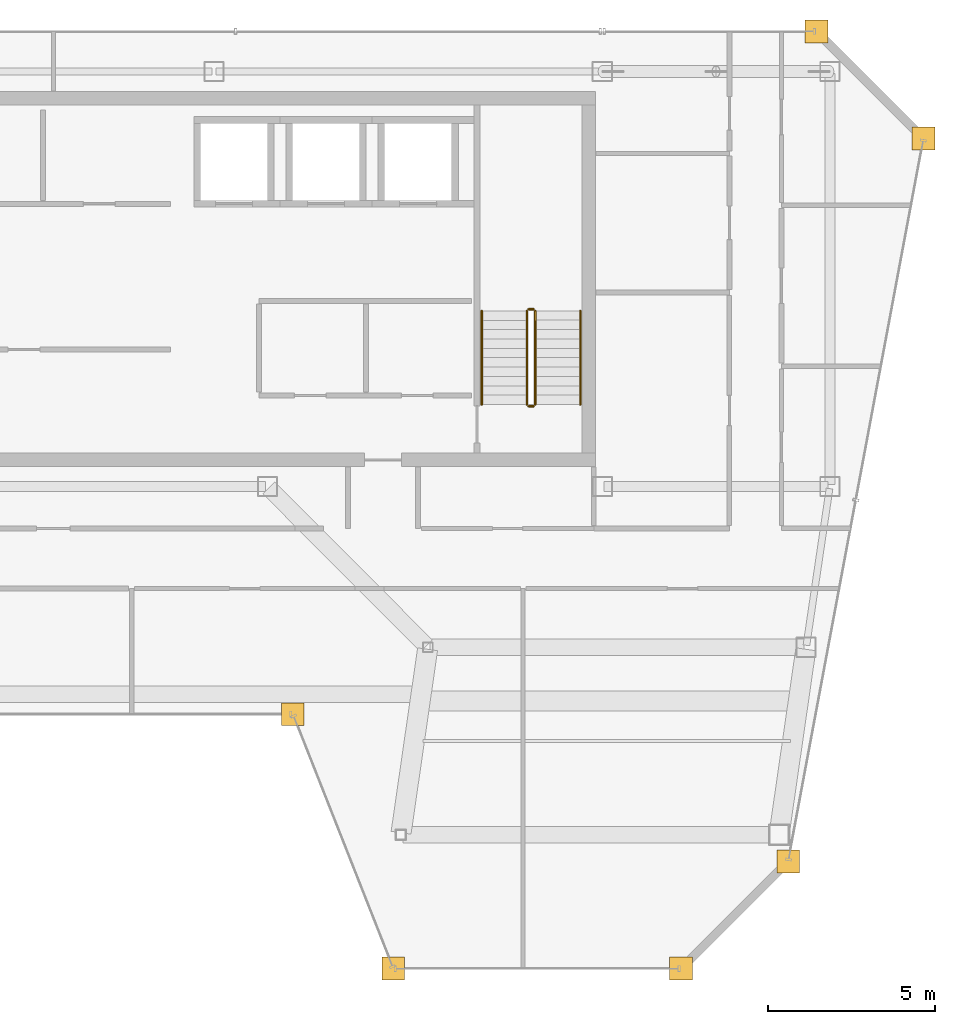
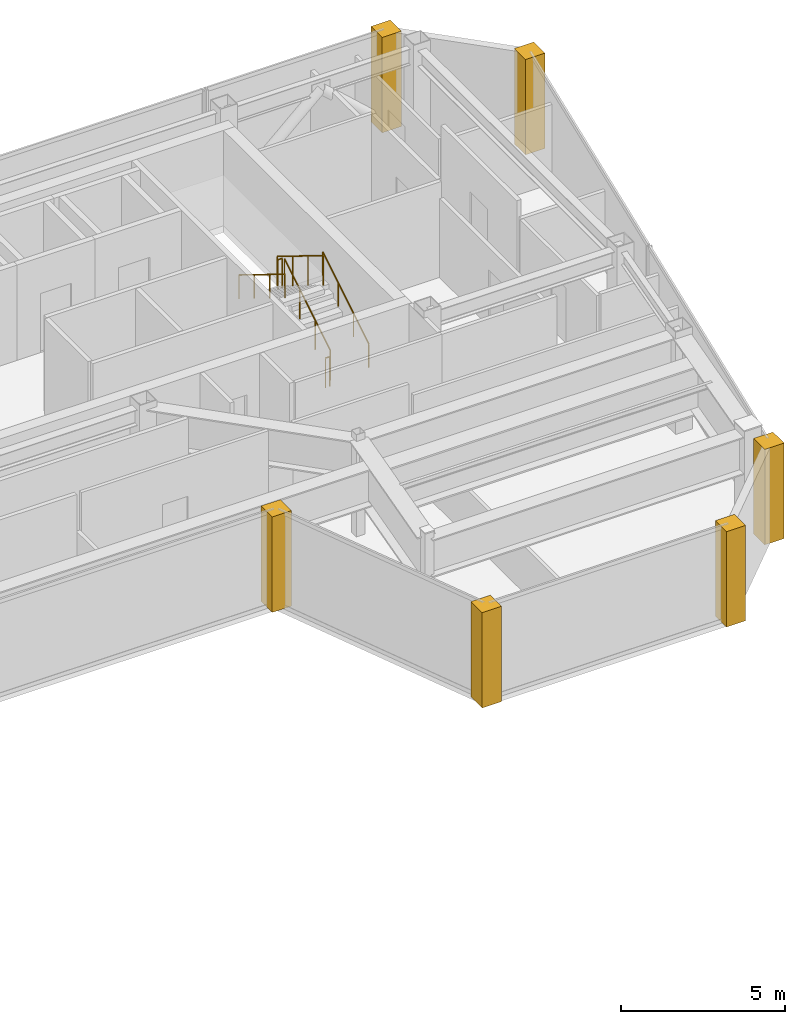
# One storey, part 23 of 23: 6 coverings, 6 railings.
"""IFC4 building model written with IfcOpenShell, lengths in metres."""

from ifc_helpers import new_model, si_unit, direction, frame, origin, origin_2d, place, context, subcontext, project, spatial, polyline, circle, outline, extrude, material, layer, layer_set, type_object, element, save


model = new_model("IFC4")

# Units and contexts
model_context = context("Model", 3, precision=1e-05, world=origin(), true_north=direction((0.0, 1.0)))
body_context = subcontext(model_context, "Body", "Model", "MODEL_VIEW")
ifc_project = project(units=[si_unit("LENGTHUNIT", "METRE"), si_unit("AREAUNIT", "SQUARE_METRE"), si_unit("VOLUMEUNIT", "CUBIC_METRE"), si_unit("PLANEANGLEUNIT", "RADIAN"), si_unit("MASSUNIT", "GRAM", prefix="KILO")], contexts=[model_context])

# Site, building, storey
site_placement = place(None, origin())
site = spatial("IfcSite", under=ifc_project, at=site_placement, CompositionType="ELEMENT")
building_placement = place(site_placement, origin())
building = spatial("IfcBuilding", under=site, at=building_placement, Name="Saevonmaru Cultural Tower", CompositionType="ELEMENT")
storey_placement = place(building_placement, frame((0.0, 0.0, 291.39990234375)))
storey = spatial("IfcBuildingStorey", under=building, at=storey_placement, Name="L69", CompositionType="ELEMENT", Elevation=291.39990234375)

# Coverings
ifc_material_1 = material(Name="Satin Bronze Anodised Aluminium", Category="aluminium")
ifc_layer = layer(ifc_material_1, 0.679931640625, Name="Satin Bronze Anodised Aluminium")
ifc_layer_set = layer_set([ifc_layer], Name="Satin Bronze Anodised Aluminium")
covering_type = type_object("IfcCoveringType", Name="CV-CORNER-CLAD", PredefinedType="CLADDING", material=ifc_layer_set)
covering_1_placement = place(storey_placement, origin())
element("IfcCovering", 1, at=covering_1_placement, inside=storey, type_object=covering_type, Name="L69 Tower Bronze Corner Cladding Pier 5", PredefinedType="CLADDING", context=body_context, shape_type="SweptSolid", body=[
    extrude(outline(polyline([(36.81591796875, 35.260009765625), (37.49609375, 35.260009765625), (37.49609375, 35.93994140625), (36.81591796875, 35.93994140625), (36.81591796875, 35.260009765625)])), origin(), (0.0, 0.0, 1.0), 3.550048828125),
])
covering_2_placement = place(storey_placement, origin())
element("IfcCovering", 2, at=covering_2_placement, inside=storey, type_object=covering_type, Name="L69 Tower Bronze Corner Cladding Pier 6", PredefinedType="CLADDING", context=body_context, shape_type="SweptSolid", body=[
    extrude(outline(polyline([(39.81591796875, 27.659912109375), (40.49609375, 27.659912109375), (40.49609375, 28.340087890625), (39.81591796875, 28.340087890625), (39.81591796875, 27.659912109375)])), origin(), (0.0, 0.0, 1.0), 3.550048828125),
])
covering_3_placement = place(storey_placement, origin())
element("IfcCovering", 3, at=covering_3_placement, inside=storey, type_object=covering_type, Name="L69 Tower Bronze Corner Cladding Pier 7", PredefinedType="CLADDING", context=body_context, shape_type="SweptSolid", body=[
    extrude(outline(polyline([(48.416015625, 27.659912109375), (49.095947265625, 27.659912109375), (49.095947265625, 28.340087890625), (48.416015625, 28.340087890625), (48.416015625, 27.659912109375)])), origin(), (0.0, 0.0, 1.0), 3.550048828125),
])
covering_4_placement = place(storey_placement, origin())
element("IfcCovering", 4, at=covering_4_placement, inside=storey, type_object=covering_type, Name="L69 Tower Bronze Corner Cladding Pier 8", PredefinedType="CLADDING", context=body_context, shape_type="SweptSolid", body=[
    extrude(outline(polyline([(51.615966796875, 30.860107421875), (52.2958984375, 30.860107421875), (52.2958984375, 31.5400390625), (51.615966796875, 31.5400390625), (51.615966796875, 30.860107421875)])), origin(), (0.0, 0.0, 1.0), 3.550048828125),
])
covering_5_placement = place(storey_placement, origin())
element("IfcCovering", 5, at=covering_5_placement, inside=storey, type_object=covering_type, Name="L69 Tower Bronze Corner Cladding Pier 9", PredefinedType="CLADDING", context=body_context, shape_type="SweptSolid", body=[
    extrude(outline(polyline([(55.659912109375, 52.4599609375), (56.340087890625, 52.4599609375), (56.340087890625, 53.139892578125), (55.659912109375, 53.139892578125), (55.659912109375, 52.4599609375)])), origin(), (0.0, 0.0, 1.0), 3.550048828125),
])
covering_6_placement = place(storey_placement, origin())
element("IfcCovering", 6, at=covering_6_placement, inside=storey, type_object=covering_type, Name="L69 Tower Bronze Corner Cladding Pier 10", PredefinedType="CLADDING", context=body_context, shape_type="SweptSolid", body=[
    extrude(outline(polyline([(52.4599609375, 55.659912109375), (53.139892578125, 55.659912109375), (53.139892578125, 56.340087890625), (52.4599609375, 56.340087890625), (52.4599609375, 55.659912109375)])), origin(), (0.0, 0.0, 1.0), 3.550048828125),
])

# Railings
ifc_material_2 = material(Name="Architectural Painted Steel", Category="steel")
railing_type_1 = type_object("IfcRailingType", Name="RL-STAIR-GUARD", PredefinedType="GUARDRAIL", material=ifc_material_2)
railing_1_placement = place(storey_placement, frame((44.39990234375, 44.85009765625, 0.1728515625)))
element("IfcRailing", 7, at=railing_1_placement, inside=storey, type_object=railing_type_1, Name="L69 ST-2 stair guard 1", PredefinedType="GUARDRAIL", context=body_context, shape_type="SweptSolid", body=[
    extrude(circle(Radius=0.02392578125, at=origin_2d()), frame((0.0, 0.0, 1.09619140625), z_axis=(0.0, 0.851069175582, 0.525053576669), x_axis=(-1.0, 0.0, 0.0)), (0.0, 0.0, 1.0), 3.289794921875),
    extrude(circle(Radius=0.02099609375, at=origin_2d()), origin(), (0.0, 0.0, 1.0), 1.072021484375),
    extrude(circle(Radius=0.02099609375, at=origin_2d()), frame((0.0, 0.933349609375, 0.57568359375)), (0.0, 0.0, 1.0), 1.072021484375),
    extrude(circle(Radius=0.02099609375, at=origin_2d()), frame((0.0, 1.866455078125, 1.151611328125)), (0.0, 0.0, 1.0), 1.072021484375),
    extrude(circle(Radius=0.02099609375, at=origin_2d()), frame((0.0, 2.7998046875, 1.727294921875)), (0.0, 0.0, 1.0), 1.072021484375),
])
railing_2_placement = place(storey_placement, frame((44.35009765625, 47.699951171875, 1.900146484375)))
element("IfcRailing", 8, at=railing_2_placement, inside=storey, type_object=railing_type_1, Name="L69 ST-2 stair guard 2", PredefinedType="GUARDRAIL", context=body_context, shape_type="SweptSolid", body=[
    extrude(circle(Radius=0.02392578125, at=origin_2d()), frame((0.0, 0.0, 1.09619140625), z_axis=(-1.0, 0.0, 0.0), x_axis=(0.0, -1.0, 0.0)), (0.0, 0.0, 1.0), 0.150146484375),
    extrude(circle(Radius=0.02099609375, at=origin_2d()), origin(), (0.0, 0.0, 1.0), 1.072021484375),
    extrude(circle(Radius=0.02099609375, at=origin_2d()), frame((-0.150146484375, 0.0, 0.0)), (0.0, 0.0, 1.0), 1.072021484375),
])
railing_3_placement = place(storey_placement, frame((44.14990234375, 47.64990234375, 2.07275390625)))
element("IfcRailing", 9, at=railing_3_placement, inside=storey, type_object=railing_type_1, Name="L69 ST-2 stair guard 3", PredefinedType="GUARDRAIL", context=body_context, shape_type="SweptSolid", body=[
    extrude(circle(Radius=0.02392578125, at=origin_2d()), frame((0.0, 0.0, 1.09619140625), z_axis=(0.0, -0.851069175582, 0.525053576669), x_axis=(1.0, 0.0, 0.0)), (0.0, 0.0, 1.0), 3.289794921875),
    extrude(circle(Radius=0.02099609375, at=origin_2d()), origin(), (0.0, 0.0, 1.0), 1.072021484375),
    extrude(circle(Radius=0.02099609375, at=origin_2d()), frame((0.0, -0.933349609375, 0.57568359375)), (0.0, 0.0, 1.0), 1.072021484375),
    extrude(circle(Radius=0.02099609375, at=origin_2d()), frame((0.0, -1.866455078125, 1.151611328125)), (0.0, 0.0, 1.0), 1.072021484375),
    extrude(circle(Radius=0.02099609375, at=origin_2d()), frame((0.0, -2.7998046875, 1.727294921875)), (0.0, 0.0, 1.0), 1.072021484375),
])
railing_4_placement = place(storey_placement, frame((44.35009765625, 44.800048828125, 0.0)))
element("IfcRailing", 10, at=railing_4_placement, inside=storey, type_object=railing_type_1, Name="L69 ST-2 stair guard 4", PredefinedType="GUARDRAIL", context=body_context, shape_type="SweptSolid", body=[
    extrude(circle(Radius=0.02392578125, at=origin_2d()), frame((0.0, 0.0, 1.09619140625), z_axis=(-1.0, 0.0, 0.0), x_axis=(0.0, -1.0, 0.0)), (0.0, 0.0, 1.0), 0.150146484375),
    extrude(circle(Radius=0.02099609375, at=origin_2d()), origin(), (0.0, 0.0, 1.0), 1.072021484375),
    extrude(circle(Radius=0.02099609375, at=origin_2d()), frame((-0.150146484375, 0.0, 0.0)), (0.0, 0.0, 1.0), 1.072021484375),
])
railing_type_2 = type_object("IfcRailingType", Name="RL-STAIR-HANDRAIL", PredefinedType="HANDRAIL", material=ifc_material_1)
railing_5_placement = place(storey_placement, frame((45.75, 44.85009765625, 0.1728515625)))
element("IfcRailing", 11, at=railing_5_placement, inside=storey, type_object=railing_type_2, Name="L69 ST-2 stair handrail 1", PredefinedType="HANDRAIL", context=body_context, shape_type="SweptSolid", body=[
    extrude(circle(Radius=0.02392578125, at=origin_2d()), frame((0.0, 0.0, 0.8759765625), z_axis=(0.0, 0.851069175582, 0.525053576669), x_axis=(-1.0, 0.0, 0.0)), (0.0, 0.0, 1.0), 3.289794921875),
    extrude(circle(Radius=0.02099609375, at=origin_2d()), origin(), (0.0, 0.0, 1.0), 0.851806640625),
    extrude(circle(Radius=0.02099609375, at=origin_2d()), frame((0.0, 0.933349609375, 0.57568359375)), (0.0, 0.0, 1.0), 0.851806640625),
    extrude(circle(Radius=0.02099609375, at=origin_2d()), frame((0.0, 1.866455078125, 1.151611328125)), (0.0, 0.0, 1.0), 0.851806640625),
    extrude(circle(Radius=0.02099609375, at=origin_2d()), frame((0.0, 2.7998046875, 1.727294921875)), (0.0, 0.0, 1.0), 0.851806640625),
])
railing_6_placement = place(storey_placement, frame((42.800048828125, 47.64990234375, 2.07275390625)))
element("IfcRailing", 12, at=railing_6_placement, inside=storey, type_object=railing_type_2, Name="L69 ST-2 stair handrail 2", PredefinedType="HANDRAIL", context=body_context, shape_type="SweptSolid", body=[
    extrude(circle(Radius=0.02392578125, at=origin_2d()), frame((0.0, 0.0, 0.8759765625), z_axis=(0.0, -0.851069175582, 0.525053576669), x_axis=(1.0, 0.0, 0.0)), (0.0, 0.0, 1.0), 3.289794921875),
    extrude(circle(Radius=0.02099609375, at=origin_2d()), origin(), (0.0, 0.0, 1.0), 0.851806640625),
    extrude(circle(Radius=0.02099609375, at=origin_2d()), frame((0.0, -0.933349609375, 0.57568359375)), (0.0, 0.0, 1.0), 0.851806640625),
    extrude(circle(Radius=0.02099609375, at=origin_2d()), frame((0.0, -1.866455078125, 1.151611328125)), (0.0, 0.0, 1.0), 0.851806640625),
    extrude(circle(Radius=0.02099609375, at=origin_2d()), frame((0.0, -2.7998046875, 1.727294921875)), (0.0, 0.0, 1.0), 0.851806640625),
])

save(model, "model.ifc")
